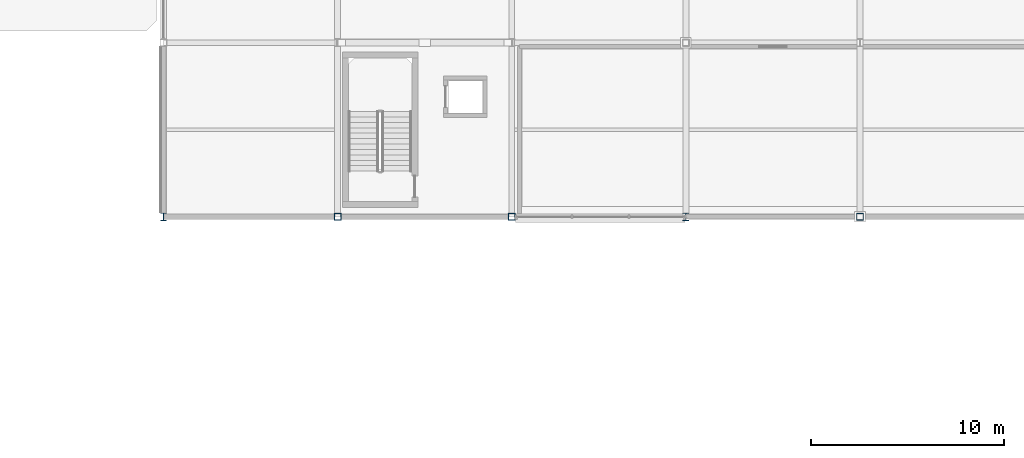
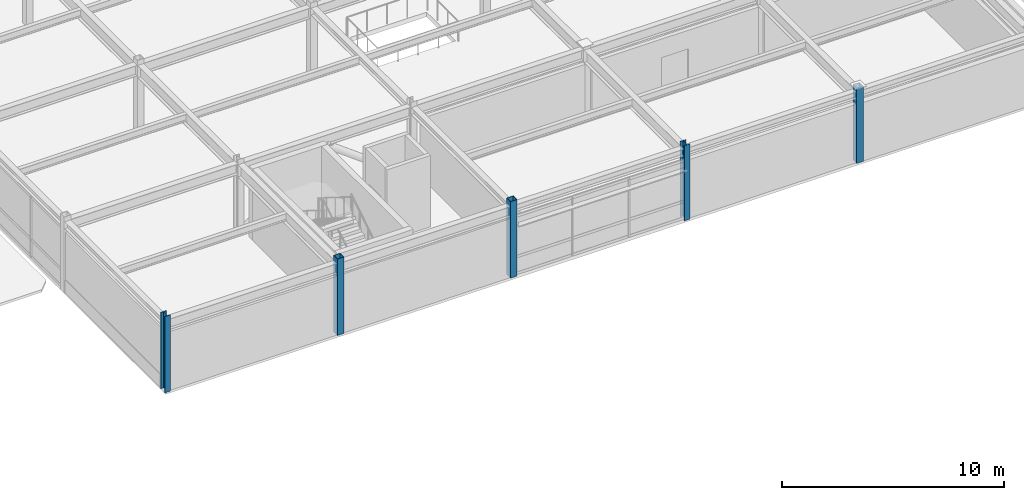
# One storey, part 1 of 40: 5 columns.
"""IFC4 building model written with IfcOpenShell, lengths in metres."""

from ifc_helpers import new_model, si_unit, direction, frame, origin, origin_2d, place, context, subcontext, project, spatial, hollow_rectangle, i_section, extrude, material, material_profile, profile_set, type_object, element, save


model = new_model("IFC4")

# Units and contexts
model_context = context("Model", 3, precision=1e-05, world=origin(), true_north=direction((0.0, 1.0)))
body_context = subcontext(model_context, "Body", "Model", "MODEL_VIEW")
ifc_project = project(units=[si_unit("LENGTHUNIT", "METRE"), si_unit("AREAUNIT", "SQUARE_METRE"), si_unit("VOLUMEUNIT", "CUBIC_METRE"), si_unit("PLANEANGLEUNIT", "RADIAN"), si_unit("MASSUNIT", "GRAM", prefix="KILO")], contexts=[model_context])

# Site, building, storey
site_placement = place(None, origin())
site = spatial("IfcSite", under=ifc_project, at=site_placement, CompositionType="ELEMENT")
building_placement = place(site_placement, origin())
building = spatial("IfcBuilding", under=site, at=building_placement, Name="Suzunagisa Mobility Hub", CompositionType="ELEMENT")
storey_placement = place(building_placement, frame((0.0, 0.0, 21.89990234375)))
storey = spatial("IfcBuildingStorey", under=building, at=storey_placement, Name="L05", CompositionType="ELEMENT", Elevation=21.89990234375)

# Columns
ifc_material = material(Name="Steel SN490B", Category="steel")
ifc_material_profile_1 = material_profile(ifc_material, hollow_rectangle(XDim=0.35009765625, YDim=0.35009765625, WallThickness=0.01611328125, at=origin_2d()), Name="BCR-350x350x16")
ifc_profile_set_1 = profile_set([ifc_material_profile_1], Name="Steel SN490B")
column_type_1 = type_object("IfcColumnType", Name="Steel Column CL-04 BCR-350x350x16", PredefinedType="COLUMN", material=ifc_profile_set_1)
for number, where, z_axis, x_axis, name in (
    (1, (54.0, 80.0, 0.0), (0.0, 0.0, 1.0), (1.0, 0.0, 0.0), "L05 Column 129"),
    (2, (63.0, 80.0, 0.0), (0.0, 0.0, 1.0), (1.0, 0.0, 0.0), "L05 Column 138"),
):
    element("IfcColumn", number, at=place(storey_placement, frame(where, z_axis=z_axis, x_axis=x_axis)), inside=storey, type_object=column_type_1, Name=name, PredefinedType="COLUMN", context=body_context, shape_type="SweptSolid", body=[
        extrude(hollow_rectangle(XDim=0.35009765625, YDim=0.35009765625, WallThickness=0.01611328125, at=origin_2d()), origin(), (0.0, 0.0, 1.0), 4.2001953125),
    ])
column_1_placement = place(storey_placement, frame((81.0, 80.0, 0.0), z_axis=(0.0, 0.0, 1.0), x_axis=(1.0, 0.0, 0.0)))
element("IfcColumn", 3, at=column_1_placement, inside=storey, type_object=column_type_1, Name="L05 Column 171", PredefinedType="COLUMN", context=body_context, shape_type="SweptSolid", body=[
    extrude(hollow_rectangle(XDim=0.35009765625, YDim=0.35009765625, WallThickness=0.01611328125, at=origin_2d()), origin(), (0.0, 0.0, 1.0), 4.14013671875),
])
ifc_material_profile_2 = material_profile(ifc_material, i_section(OverallWidth=0.300048828125, OverallDepth=0.389892578125, WebThickness=0.010009765625, FlangeThickness=0.01611328125, FilletRadius=0.012939453125, at=origin_2d()), Name="H-390x300x10x16")
ifc_profile_set_2 = profile_set([ifc_material_profile_2], Name="Steel SN490B")
column_type_2 = type_object("IfcColumnType", Name="Steel Column CL-07 H-390x300x10x16", PredefinedType="COLUMN", material=ifc_profile_set_2)
column_2_placement = place(storey_placement, frame((45.0, 80.0, 0.0), z_axis=(0.0, 0.0, 1.0), x_axis=(1.0, 0.0, 0.0)))
element("IfcColumn", 4, at=column_2_placement, inside=storey, type_object=column_type_2, Name="L05 Column 118", PredefinedType="COLUMN", context=body_context, shape_type="SweptSolid", body=[
    extrude(i_section(OverallWidth=0.300048828125, OverallDepth=0.389892578125, WebThickness=0.010009765625, FlangeThickness=0.01611328125, FilletRadius=0.012939453125, at=origin_2d()), origin(), (0.0, 0.0, 1.0), 4.2001953125),
])
column_3_placement = place(storey_placement, frame((72.0, 80.0, 0.0), z_axis=(0.0, 0.0, 1.0), x_axis=(1.0, 0.0, 0.0)))
element("IfcColumn", 5, at=column_3_placement, inside=storey, type_object=column_type_2, Name="L05 Column 154", PredefinedType="COLUMN", context=body_context, shape_type="SweptSolid", body=[
    extrude(i_section(OverallWidth=0.300048828125, OverallDepth=0.389892578125, WebThickness=0.010009765625, FlangeThickness=0.01611328125, FilletRadius=0.012939453125, at=origin_2d()), origin(), (0.0, 0.0, 1.0), 4.14013671875),
])

save(model, "model.ifc")
